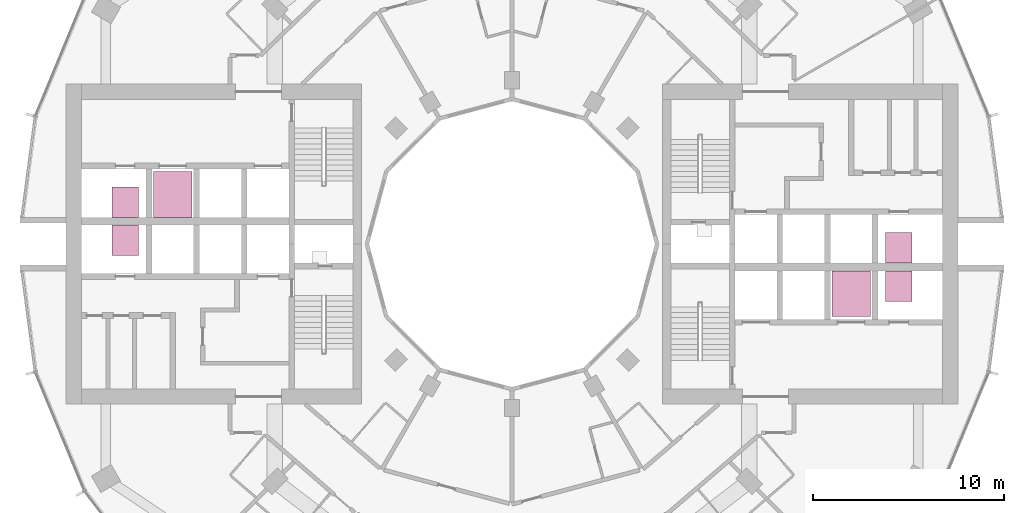
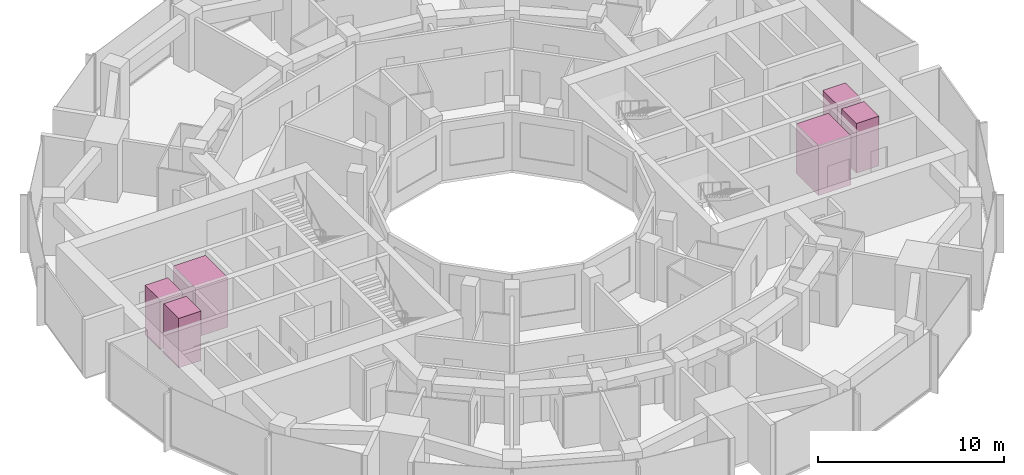
# One storey, part 15 of 15: 6 transport elements.
"""IFC4 building model written with IfcOpenShell, lengths in metres."""

from ifc_helpers import new_model, si_unit, direction, frame, origin, origin_2d, place, context, subcontext, project, spatial, rectangle, extrude, material, type_object, element, save


model = new_model("IFC4")

# Units and contexts
model_context = context("Model", 3, precision=1e-05, world=origin(), true_north=direction((0.0, 1.0)))
body_context = subcontext(model_context, "Body", "Model", "MODEL_VIEW")
ifc_project = project(units=[si_unit("LENGTHUNIT", "METRE"), si_unit("AREAUNIT", "SQUARE_METRE"), si_unit("VOLUMEUNIT", "CUBIC_METRE"), si_unit("PLANEANGLEUNIT", "RADIAN"), si_unit("MASSUNIT", "GRAM", prefix="KILO")], contexts=[model_context])

# Site, building, storey
site_placement = place(None, origin())
site = spatial("IfcSite", under=ifc_project, at=site_placement, CompositionType="ELEMENT")
building_placement = place(site_placement, origin())
building = spatial("IfcBuilding", under=site, at=building_placement, Name="Torre Brocal", CompositionType="ELEMENT")
storey_placement = place(building_placement, frame((0.0, 0.0, 105.199951171875)))
storey = spatial("IfcBuildingStorey", under=building, at=storey_placement, Name="L24", CompositionType="ELEMENT", Elevation=105.199951171875)

# Transport elements
ifc_material_1 = material(Name="Stainless steel AISI 316", Category="steel")
transport_element_type_1 = type_object("IfcTransportElementType", Name="PASSENGER LIFT 2000", PredefinedType="ELEVATOR", material=ifc_material_1)
for number, where, z_axis, x_axis, name in (
    (1, (97.800048828125, 72.39990234375, 0.0), (0.0, 0.0, 1.0), (1.0, 0.0, 0.0), "LOW RISE LIFT E-LR2"),
    (2, (62.199951171875, 77.60009765625, 0.0), (0.0, 0.0, 1.0), (1.0, 0.0, 0.0), "LOW RISE LIFT W-LR2"),
):
    element("IfcTransportElement", number, at=place(storey_placement, frame(where, z_axis=z_axis, x_axis=x_axis)), inside=storey, type_object=transport_element_type_1, Name=name, PredefinedType="ELEVATOR", context=body_context, shape_type="SweptSolid", body=[
        extrude(rectangle(XDim=2.0, YDim=2.39990234375, at=origin_2d()), origin(), (0.0, 0.0, 1.0), 3.25),
    ])
ifc_material_2 = material(Name="Stainless steel AISI 316", Category="steel")
transport_element_type_2 = type_object("IfcTransportElementType", Name="PASSENGER LIFT 900", PredefinedType="ELEVATOR", material=ifc_material_2)
for number, where, z_axis, x_axis, name in (
    (3, (100.300048828125, 74.800048828125, 0.0), (0.0, 0.0, 1.0), (1.0, 0.0, 0.0), "LOW RISE LIFT E-LR1"),
    (4, (100.300048828125, 72.800048828125, 0.0), (0.0, 0.0, 1.0), (1.0, 0.0, 0.0), "LOW RISE LIFT E-LR3"),
    (5, (59.699951171875, 75.199951171875, 0.0), (0.0, 0.0, 1.0), (1.0, 0.0, 0.0), "LOW RISE LIFT W-LR1"),
    (6, (59.699951171875, 77.199951171875, 0.0), (0.0, 0.0, 1.0), (1.0, 0.0, 0.0), "LOW RISE LIFT W-LR3"),
):
    element("IfcTransportElement", number, at=place(storey_placement, frame(where, z_axis=z_axis, x_axis=x_axis)), inside=storey, type_object=transport_element_type_2, Name=name, PredefinedType="ELEVATOR", context=body_context, shape_type="SweptSolid", body=[
        extrude(rectangle(XDim=1.39990234375, YDim=1.60009765625, at=origin_2d()), origin(), (0.0, 0.0, 1.0), 3.25),
    ])

save(model, "model.ifc")
